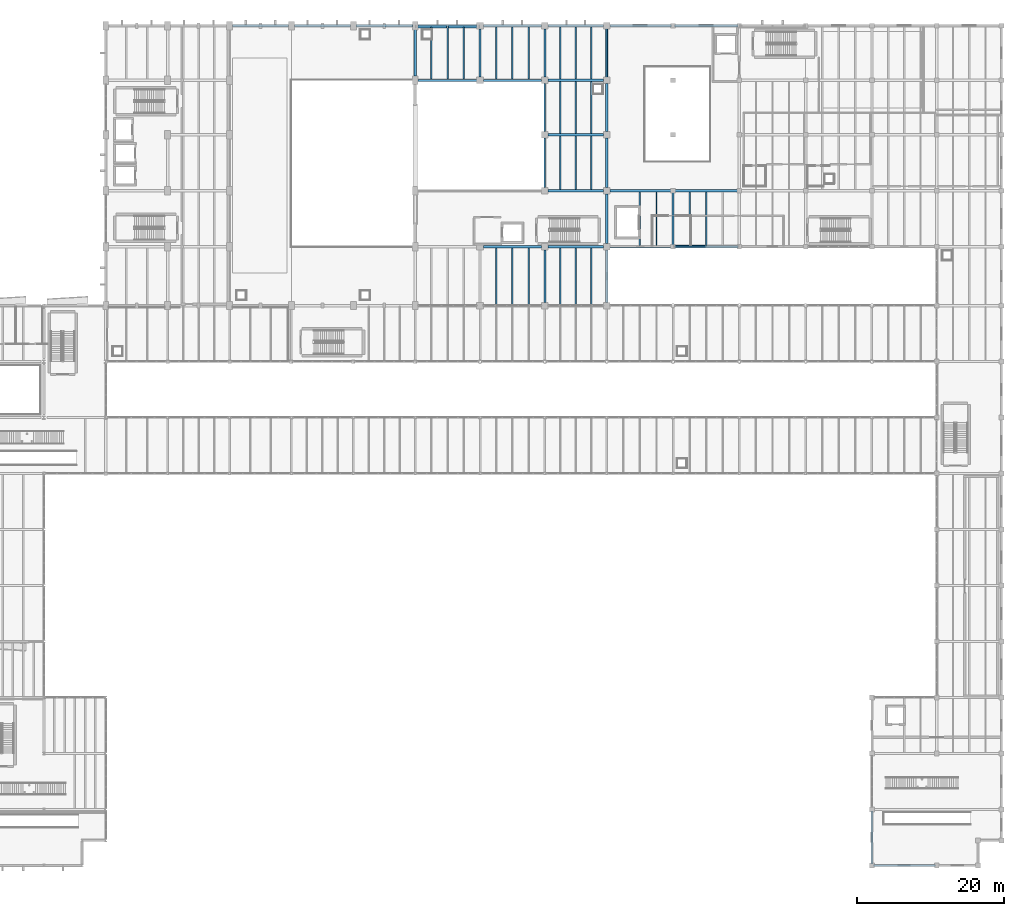
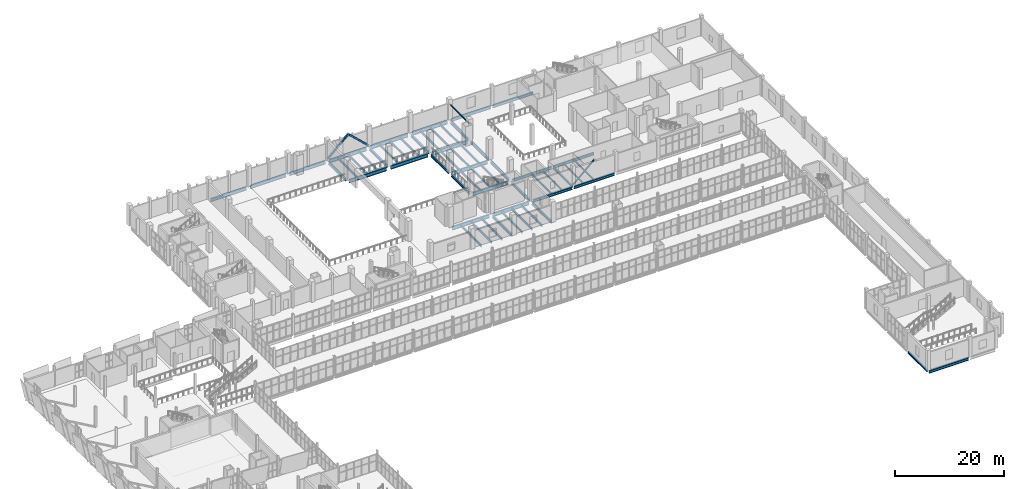
# One storey, part 93 of 172: 59 beams, 3 members.
"""IFC4 building model written with IfcOpenShell, lengths in metres."""

from ifc_helpers import new_model, si_unit, direction, frame, origin, origin_2d, place, context, subcontext, project, spatial, hollow_rectangle, hollow_circle, i_section, extrude, material, material_profile, profile_set, type_object, element, save


model = new_model("IFC4")

# Units and contexts
model_context = context("Model", 3, precision=1e-05, world=origin(), true_north=direction((0.0, 1.0)))
body_context = subcontext(model_context, "Body", "Model", "MODEL_VIEW")
ifc_project = project(units=[si_unit("LENGTHUNIT", "METRE"), si_unit("AREAUNIT", "SQUARE_METRE"), si_unit("VOLUMEUNIT", "CUBIC_METRE"), si_unit("PLANEANGLEUNIT", "RADIAN"), si_unit("MASSUNIT", "GRAM", prefix="KILO")], contexts=[model_context])

# Site, building, storey
site_placement = place(None, origin())
site = spatial("IfcSite", under=ifc_project, at=site_placement, CompositionType="ELEMENT")
building_placement = place(site_placement, origin())
building = spatial("IfcBuilding", under=site, at=building_placement, Name="Shengluoqiao Park Theatre", CompositionType="ELEMENT")
storey_placement = place(building_placement, frame((0.0, 0.0, 5.39990234375)))
storey = spatial("IfcBuildingStorey", under=building, at=storey_placement, Name="L01", CompositionType="ELEMENT", Elevation=5.39990234375)

# Beams
ifc_material_1 = material(Name="Steel Q355", Category="steel")
ifc_material_profile_1 = material_profile(ifc_material_1, i_section(OverallWidth=0.300048828125, OverallDepth=0.389892578125, WebThickness=0.010009765625, FlangeThickness=0.01611328125, FilletRadius=0.01806640625, at=origin_2d()), Name="HM 390x300x10x16")
ifc_profile_set_1 = profile_set([ifc_material_profile_1], Name="Steel Q355")
beam_type_1 = type_object("IfcBeamType", Name="STR-BM-G-HM390", PredefinedType="BEAM", material=ifc_profile_set_1)
for number, where, z_axis, x_axis, name in (
    (1, (121.39990234375, 84.194091796875, -0.434814453125), (0.0, 1.0, 0.0), (-1.0, 0.0, 0.0), "L01 Transverse Girder 00648"),
    (2, (148.39990234375, 0.194091796875, -0.434814453125), (0.0, 1.0, 0.0), (-1.0, 0.0, 0.0), "L01 Transverse Girder 00775"),
):
    element("IfcBeam", number, at=place(storey_placement, frame(where, z_axis=z_axis, x_axis=x_axis)), inside=storey, type_object=beam_type_1, Name=name, PredefinedType="BEAM", context=body_context, shape_type="SweptSolid", body=[
        extrude(i_section(OverallWidth=0.300048828125, OverallDepth=0.389892578125, WebThickness=0.010009765625, FlangeThickness=0.01611328125, FilletRadius=0.01806640625, at=origin_2d()), origin(), (0.0, 0.0, 1.0), 7.2119140625),
    ])
ifc_material_profile_2 = material_profile(ifc_material_1, i_section(OverallWidth=0.300048828125, OverallDepth=0.58203125, WebThickness=0.011962890625, FlangeThickness=0.01708984375, FilletRadius=0.02392578125, at=origin_2d()), Name="HM 582x300x12x17")
ifc_profile_set_2 = profile_set([ifc_material_profile_2], Name="Steel Q355")
beam_type_2 = type_object("IfcBeamType", Name="STR-BM-G-HM582", PredefinedType="BEAM", material=ifc_profile_set_2)
for number, where, z_axis, x_axis, name in (
    (3, (104.0, 76.444091796875, -0.531005859375), (0.0, 1.0, 0.0), (-1.0, 0.0, 0.0), "L01 Transverse Girder 00332"),
    (4, (112.39990234375, 76.444091796875, -0.531005859375), (0.0, 1.0, 0.0), (-1.0, 0.0, 0.0), "L01 Transverse Girder 00333"),
):
    element("IfcBeam", number, at=place(storey_placement, frame(where, z_axis=z_axis, x_axis=x_axis)), inside=storey, type_object=beam_type_2, Name=name, PredefinedType="BEAM", context=body_context, shape_type="SweptSolid", body=[
        extrude(i_section(OverallWidth=0.300048828125, OverallDepth=0.58203125, WebThickness=0.011962890625, FlangeThickness=0.01708984375, FilletRadius=0.02392578125, at=origin_2d()), origin(), (0.0, 0.0, 1.0), 7.11181640625),
    ])
beam_1_placement = place(storey_placement, frame((112.39990234375, 84.444091796875, -0.531005859375), z_axis=(0.0, 1.0, 0.0), x_axis=(-1.0, 0.0, 0.0)))
element("IfcBeam", 5, at=beam_1_placement, inside=storey, type_object=beam_type_2, Name="L01 Transverse Girder 00334", PredefinedType="BEAM", context=body_context, shape_type="SweptSolid", body=[
    extrude(i_section(OverallWidth=0.300048828125, OverallDepth=0.58203125, WebThickness=0.011962890625, FlangeThickness=0.01708984375, FilletRadius=0.02392578125, at=origin_2d()), origin(), (0.0, 0.0, 1.0), 6.7119140625),
])
for number, where, z_axis, x_axis, name in (
    (6, (95.199951171875, 107.0439453125, -0.531005859375), (0.0, 1.0, 0.0), (-1.0, 0.0, 0.0), "L01 Transverse Girder 00350"),
    (7, (104.0, 107.0439453125, -0.531005859375), (0.0, 1.0, 0.0), (-1.0, 0.0, 0.0), "L01 Transverse Girder 00351"),
    (8, (112.39990234375, 107.0439453125, -0.531005859375), (0.0, 1.0, 0.0), (-1.0, 0.0, 0.0), "L01 Transverse Girder 00352"),
):
    element("IfcBeam", number, at=place(storey_placement, frame(where, z_axis=z_axis, x_axis=x_axis)), inside=storey, type_object=beam_type_2, Name=name, PredefinedType="BEAM", context=body_context, shape_type="SweptSolid", body=[
        extrude(i_section(OverallWidth=0.300048828125, OverallDepth=0.58203125, WebThickness=0.011962890625, FlangeThickness=0.01708984375, FilletRadius=0.02392578125, at=origin_2d()), origin(), (0.0, 0.0, 1.0), 6.511962890625),
    ])
beam_2_placement = place(storey_placement, frame((104.0, 92.0439453125, -0.531005859375), z_axis=(0.0, 1.0, 0.0), x_axis=(-1.0, 0.0, 0.0)))
element("IfcBeam", 9, at=beam_2_placement, inside=storey, type_object=beam_type_2, Name="L01 Transverse Girder 00363", PredefinedType="BEAM", context=body_context, shape_type="SweptSolid", body=[
    extrude(i_section(OverallWidth=0.300048828125, OverallDepth=0.58203125, WebThickness=0.011962890625, FlangeThickness=0.01708984375, FilletRadius=0.02392578125, at=origin_2d()), origin(), (0.0, 0.0, 1.0), 6.712158203125),
])
beam_3_placement = place(storey_placement, frame((104.0, 99.64404296875, -0.531005859375), z_axis=(0.0, 1.0, 0.0), x_axis=(-1.0, 0.0, 0.0)))
element("IfcBeam", 10, at=beam_3_placement, inside=storey, type_object=beam_type_2, Name="L01 Transverse Girder 00364", PredefinedType="BEAM", context=body_context, shape_type="SweptSolid", body=[
    extrude(i_section(OverallWidth=0.300048828125, OverallDepth=0.58203125, WebThickness=0.011962890625, FlangeThickness=0.01708984375, FilletRadius=0.02392578125, at=origin_2d()), origin(), (0.0, 0.0, 1.0), 6.511962890625),
])
beam_4_placement = place(storey_placement, frame((112.39990234375, 92.0439453125, -0.531005859375), z_axis=(0.0, 1.0, 0.0), x_axis=(-1.0, 0.0, 0.0)))
element("IfcBeam", 11, at=beam_4_placement, inside=storey, type_object=beam_type_2, Name="L01 Transverse Girder 00365", PredefinedType="BEAM", context=body_context, shape_type="SweptSolid", body=[
    extrude(i_section(OverallWidth=0.300048828125, OverallDepth=0.58203125, WebThickness=0.011962890625, FlangeThickness=0.01708984375, FilletRadius=0.02392578125, at=origin_2d()), origin(), (0.0, 0.0, 1.0), 6.712158203125),
])
beam_5_placement = place(storey_placement, frame((112.39990234375, 99.64404296875, -0.531005859375), z_axis=(0.0, 1.0, 0.0), x_axis=(-1.0, 0.0, 0.0)))
element("IfcBeam", 12, at=beam_5_placement, inside=storey, type_object=beam_type_2, Name="L01 Transverse Girder 00366", PredefinedType="BEAM", context=body_context, shape_type="SweptSolid", body=[
    extrude(i_section(OverallWidth=0.300048828125, OverallDepth=0.58203125, WebThickness=0.011962890625, FlangeThickness=0.01708984375, FilletRadius=0.02392578125, at=origin_2d()), origin(), (0.0, 0.0, 1.0), 6.511962890625),
])
ifc_material_profile_3 = material_profile(ifc_material_1, i_section(OverallWidth=0.300048828125, OverallDepth=0.587890625, WebThickness=0.011962890625, FlangeThickness=0.02001953125, FilletRadius=0.02392578125, at=origin_2d()), Name="HM 588x300x12x20")
ifc_profile_set_3 = profile_set([ifc_material_profile_3], Name="Steel Q355")
beam_type_3 = type_object("IfcBeamType", Name="STR-BM-G-HM588", PredefinedType="BEAM", material=ifc_profile_set_3)
beam_6_placement = place(storey_placement, frame((86.39990234375, 107.14404296875, -0.5439453125), z_axis=(0.0, 1.0, 0.0), x_axis=(-1.0, 0.0, 0.0)))
element("IfcBeam", 13, at=beam_6_placement, inside=storey, type_object=beam_type_3, Name="L01 Transverse Girder 00321", PredefinedType="BEAM", context=body_context, shape_type="SweptSolid", body=[
    extrude(i_section(OverallWidth=0.300048828125, OverallDepth=0.587890625, WebThickness=0.011962890625, FlangeThickness=0.02001953125, FilletRadius=0.02392578125, at=origin_2d()), origin(), (0.0, 0.0, 1.0), 6.31201171875),
])
beam_7_placement = place(storey_placement, frame((112.843994140625, 84.0, -0.533935546875), z_axis=(1.0, 0.0, 0.0), x_axis=(0.0, 1.0, 0.0)))
element("IfcBeam", 14, at=beam_7_placement, inside=storey, type_object=beam_type_3, Name="L01 Primary Girder 00637", PredefinedType="BEAM", context=body_context, shape_type="SweptSolid", body=[
    extrude(i_section(OverallWidth=0.300048828125, OverallDepth=0.587890625, WebThickness=0.011962890625, FlangeThickness=0.02001953125, FilletRadius=0.02392578125, at=origin_2d()), origin(), (0.0, 0.0, 1.0), 8.35791015625),
])
beam_8_placement = place(storey_placement, frame((121.597900390625, 84.0, -0.533935546875), z_axis=(1.0, 0.0, 0.0), x_axis=(0.0, 1.0, 0.0)))
element("IfcBeam", 15, at=beam_8_placement, inside=storey, type_object=beam_type_3, Name="L01 Primary Girder 00638", PredefinedType="BEAM", context=body_context, shape_type="SweptSolid", body=[
    extrude(i_section(OverallWidth=0.300048828125, OverallDepth=0.587890625, WebThickness=0.011962890625, FlangeThickness=0.02001953125, FilletRadius=0.02392578125, at=origin_2d()), origin(), (0.0, 0.0, 1.0), 8.60400390625),
])
beam_9_placement = place(storey_placement, frame((112.843994140625, 91.60009765625, -0.533935546875), z_axis=(1.0, 0.0, 0.0), x_axis=(0.0, 1.0, 0.0)))
element("IfcBeam", 16, at=beam_9_placement, inside=storey, type_object=beam_type_3, Name="L01 Primary Girder 00640", PredefinedType="BEAM", context=body_context, shape_type="SweptSolid", body=[
    extrude(i_section(OverallWidth=0.300048828125, OverallDepth=0.587890625, WebThickness=0.011962890625, FlangeThickness=0.02001953125, FilletRadius=0.02392578125, at=origin_2d()), origin(), (0.0, 0.0, 1.0), 8.35791015625),
])
beam_10_placement = place(storey_placement, frame((121.597900390625, 91.60009765625, -0.533935546875), z_axis=(1.0, 0.0, 0.0), x_axis=(0.0, 1.0, 0.0)))
element("IfcBeam", 17, at=beam_10_placement, inside=storey, type_object=beam_type_3, Name="L01 Primary Girder 00641", PredefinedType="BEAM", context=body_context, shape_type="SweptSolid", body=[
    extrude(i_section(OverallWidth=0.300048828125, OverallDepth=0.587890625, WebThickness=0.011962890625, FlangeThickness=0.02001953125, FilletRadius=0.02392578125, at=origin_2d()), origin(), (0.0, 0.0, 1.0), 8.60400390625),
])
beam_11_placement = place(storey_placement, frame((112.843994140625, 114.0, -0.533935546875), z_axis=(1.0, 0.0, 0.0), x_axis=(0.0, 1.0, 0.0)))
element("IfcBeam", 18, at=beam_11_placement, inside=storey, type_object=beam_type_3, Name="L01 Primary Girder 00645", PredefinedType="BEAM", context=body_context, shape_type="SweptSolid", body=[
    extrude(i_section(OverallWidth=0.300048828125, OverallDepth=0.587890625, WebThickness=0.011962890625, FlangeThickness=0.02001953125, FilletRadius=0.02392578125, at=origin_2d()), origin(), (0.0, 0.0, 1.0), 8.35791015625),
])
beam_12_placement = place(storey_placement, frame((121.597900390625, 114.0, -0.533935546875), z_axis=(1.0, 0.0, 0.0), x_axis=(0.0, 1.0, 0.0)))
element("IfcBeam", 19, at=beam_12_placement, inside=storey, type_object=beam_type_3, Name="L01 Primary Girder 00646", PredefinedType="BEAM", context=body_context, shape_type="SweptSolid", body=[
    extrude(i_section(OverallWidth=0.300048828125, OverallDepth=0.587890625, WebThickness=0.011962890625, FlangeThickness=0.02001953125, FilletRadius=0.02392578125, at=origin_2d()), origin(), (0.0, 0.0, 1.0), 8.60400390625),
])
beam_13_placement = place(storey_placement, frame((148.597900390625, 0.0, -0.533935546875), z_axis=(1.0, 0.0, 0.0), x_axis=(0.0, 1.0, 0.0)))
element("IfcBeam", 20, at=beam_13_placement, inside=storey, type_object=beam_type_3, Name="L01 Primary Girder 00769", PredefinedType="BEAM", context=body_context, shape_type="SweptSolid", body=[
    extrude(i_section(OverallWidth=0.300048828125, OverallDepth=0.587890625, WebThickness=0.011962890625, FlangeThickness=0.02001953125, FilletRadius=0.02392578125, at=origin_2d()), origin(), (0.0, 0.0, 1.0), 8.404052734375),
])
ifc_material_2 = material(Name="Steel Q390", Category="steel")
ifc_material_profile_4 = material_profile(ifc_material_2, i_section(OverallWidth=0.300048828125, OverallDepth=0.699951171875, WebThickness=0.012939453125, FlangeThickness=0.02392578125, FilletRadius=0.02392578125, at=origin_2d()), Name="HN 700x300x13x24")
ifc_profile_set_4 = profile_set([ifc_material_profile_4], Name="Steel Q390")
beam_type_4 = type_object("IfcBeamType", Name="STR-BM-G-HN700", PredefinedType="BEAM", material=ifc_profile_set_4)
for number, where, z_axis, x_axis, name in (
    (21, (61.593994140625, 114.0, -0.599853515625), (1.0, 0.0, 0.0), (0.0, 1.0, 0.0), "L01 Primary Girder 00315"),
    (22, (69.993896484375, 114.0, -0.599853515625), (1.0, 0.0, 0.0), (0.0, 1.0, 0.0), "L01 Primary Girder 00319"),
    (23, (78.39404296875, 114.0, -0.599853515625), (1.0, 0.0, 0.0), (0.0, 1.0, 0.0), "L01 Primary Girder 00320"),
):
    element("IfcBeam", number, at=place(storey_placement, frame(where, z_axis=z_axis, x_axis=x_axis)), inside=storey, type_object=beam_type_4, Name=name, PredefinedType="BEAM", context=body_context, shape_type="SweptSolid", body=[
        extrude(i_section(OverallWidth=0.300048828125, OverallDepth=0.699951171875, WebThickness=0.012939453125, FlangeThickness=0.02392578125, FilletRadius=0.02392578125, at=origin_2d()), origin(), (0.0, 0.0, 1.0), 7.612060546875),
    ])
ifc_material_profile_5 = material_profile(ifc_material_2, i_section(OverallWidth=0.300048828125, OverallDepth=0.800048828125, WebThickness=0.013916015625, FlangeThickness=0.02587890625, FilletRadius=0.02587890625, at=origin_2d()), Name="HN 800x300x14x26")
ifc_profile_set_5 = profile_set([ifc_material_profile_5], Name="Steel Q390")
beam_type_5 = type_object("IfcBeamType", Name="STR-BM-G-HN800", PredefinedType="BEAM", material=ifc_profile_set_5)
beam_14_placement = place(storey_placement, frame((95.64404296875, 84.0, -0.639892578125), z_axis=(1.0, 0.0, 0.0), x_axis=(0.0, 1.0, 0.0)))
element("IfcBeam", 24, at=beam_14_placement, inside=storey, type_object=beam_type_5, Name="L01 Primary Girder 00326", PredefinedType="BEAM", context=body_context, shape_type="SweptSolid", body=[
    extrude(i_section(OverallWidth=0.300048828125, OverallDepth=0.800048828125, WebThickness=0.013916015625, FlangeThickness=0.02587890625, FilletRadius=0.02587890625, at=origin_2d()), origin(), (0.0, 0.0, 1.0), 7.911865234375),
])
for number, where, z_axis, x_axis, name in (
    (25, (104.444091796875, 84.0, -0.639892578125), (1.0, 0.0, 0.0), (0.0, 1.0, 0.0), "L01 Primary Girder 00327"),
    (26, (104.444091796875, 91.60009765625, -0.639892578125), (1.0, 0.0, 0.0), (0.0, 1.0, 0.0), "L01 Primary Girder 00329"),
):
    element("IfcBeam", number, at=place(storey_placement, frame(where, z_axis=z_axis, x_axis=x_axis)), inside=storey, type_object=beam_type_5, Name=name, PredefinedType="BEAM", context=body_context, shape_type="SweptSolid", body=[
        extrude(i_section(OverallWidth=0.300048828125, OverallDepth=0.800048828125, WebThickness=0.013916015625, FlangeThickness=0.02587890625, FilletRadius=0.02587890625, at=origin_2d()), origin(), (0.0, 0.0, 1.0), 7.511962890625),
    ])
beam_15_placement = place(storey_placement, frame((86.7939453125, 106.60009765625, -0.64990234375), z_axis=(1.0, 0.0, 0.0), x_axis=(0.0, 1.0, 0.0)))
element("IfcBeam", 27, at=beam_15_placement, inside=storey, type_object=beam_type_5, Name="L01 Primary Girder 00344", PredefinedType="BEAM", context=body_context, shape_type="SweptSolid", body=[
    extrude(i_section(OverallWidth=0.300048828125, OverallDepth=0.800048828125, WebThickness=0.013916015625, FlangeThickness=0.02587890625, FilletRadius=0.02587890625, at=origin_2d()), origin(), (0.0, 0.0, 1.0), 7.962158203125),
])
beam_16_placement = place(storey_placement, frame((95.64404296875, 106.60009765625, -0.639892578125), z_axis=(1.0, 0.0, 0.0), x_axis=(0.0, 1.0, 0.0)))
element("IfcBeam", 28, at=beam_16_placement, inside=storey, type_object=beam_type_5, Name="L01 Primary Girder 00345", PredefinedType="BEAM", context=body_context, shape_type="SweptSolid", body=[
    extrude(i_section(OverallWidth=0.300048828125, OverallDepth=0.800048828125, WebThickness=0.013916015625, FlangeThickness=0.02587890625, FilletRadius=0.02587890625, at=origin_2d()), origin(), (0.0, 0.0, 1.0), 7.911865234375),
])
beam_17_placement = place(storey_placement, frame((104.444091796875, 106.60009765625, -0.639892578125), z_axis=(1.0, 0.0, 0.0), x_axis=(0.0, 1.0, 0.0)))
element("IfcBeam", 29, at=beam_17_placement, inside=storey, type_object=beam_type_5, Name="L01 Primary Girder 00346", PredefinedType="BEAM", context=body_context, shape_type="SweptSolid", body=[
    extrude(i_section(OverallWidth=0.300048828125, OverallDepth=0.800048828125, WebThickness=0.013916015625, FlangeThickness=0.02587890625, FilletRadius=0.02587890625, at=origin_2d()), origin(), (0.0, 0.0, 1.0), 7.511962890625),
])
beam_18_placement = place(storey_placement, frame((86.7939453125, 114.0, -0.64990234375), z_axis=(1.0, 0.0, 0.0), x_axis=(0.0, 1.0, 0.0)))
element("IfcBeam", 30, at=beam_18_placement, inside=storey, type_object=beam_type_5, Name="L01 Primary Girder 00347", PredefinedType="BEAM", context=body_context, shape_type="SweptSolid", body=[
    extrude(i_section(OverallWidth=0.300048828125, OverallDepth=0.800048828125, WebThickness=0.013916015625, FlangeThickness=0.02587890625, FilletRadius=0.02587890625, at=origin_2d()), origin(), (0.0, 0.0, 1.0), 7.962158203125),
])
beam_19_placement = place(storey_placement, frame((95.64404296875, 114.0, -0.639892578125), z_axis=(1.0, 0.0, 0.0), x_axis=(0.0, 1.0, 0.0)))
element("IfcBeam", 31, at=beam_19_placement, inside=storey, type_object=beam_type_5, Name="L01 Primary Girder 00348", PredefinedType="BEAM", context=body_context, shape_type="SweptSolid", body=[
    extrude(i_section(OverallWidth=0.300048828125, OverallDepth=0.800048828125, WebThickness=0.013916015625, FlangeThickness=0.02587890625, FilletRadius=0.02587890625, at=origin_2d()), origin(), (0.0, 0.0, 1.0), 7.911865234375),
])
for number, where, z_axis, x_axis, name in (
    (32, (104.444091796875, 114.0, -0.639892578125), (1.0, 0.0, 0.0), (0.0, 1.0, 0.0), "L01 Primary Girder 00349"),
    (33, (104.444091796875, 99.199951171875, -0.639892578125), (1.0, 0.0, 0.0), (0.0, 1.0, 0.0), "L01 Primary Girder 00362"),
):
    element("IfcBeam", number, at=place(storey_placement, frame(where, z_axis=z_axis, x_axis=x_axis)), inside=storey, type_object=beam_type_5, Name=name, PredefinedType="BEAM", context=body_context, shape_type="SweptSolid", body=[
        extrude(i_section(OverallWidth=0.300048828125, OverallDepth=0.800048828125, WebThickness=0.013916015625, FlangeThickness=0.02587890625, FilletRadius=0.02587890625, at=origin_2d()), origin(), (0.0, 0.0, 1.0), 7.511962890625),
    ])
ifc_material_profile_6 = material_profile(ifc_material_1, i_section(OverallWidth=0.175048828125, OverallDepth=0.35009765625, WebThickness=0.007080078125, FlangeThickness=0.010986328125, FilletRadius=0.013916015625, at=origin_2d()), Name="HN 350x175x7x11")
ifc_profile_set_6 = profile_set([ifc_material_profile_6], Name="Steel Q355")
beam_type_6 = type_object("IfcBeamType", Name="STR-BM-J-HN350", PredefinedType="JOIST", material=ifc_profile_set_6)
for number, where, z_axis, x_axis, name in (
    (34, (116.89990234375, 84.14501953125, -0.414794921875), (0.0, 1.0, 0.0), (-1.0, 0.0, 0.0), "L01 Composite Joist 00656"),
    (35, (119.14990234375, 84.14501953125, -0.414794921875), (0.0, 1.0, 0.0), (-1.0, 0.0, 0.0), "L01 Composite Joist 00657"),
    (36, (123.64990234375, 84.14501953125, -0.414794921875), (0.0, 1.0, 0.0), (-1.0, 0.0, 0.0), "L01 Composite Joist 00658"),
    (37, (125.89990234375, 84.14501953125, -0.414794921875), (0.0, 1.0, 0.0), (-1.0, 0.0, 0.0), "L01 Composite Joist 00659"),
):
    element("IfcBeam", number, at=place(storey_placement, frame(where, z_axis=z_axis, x_axis=x_axis)), inside=storey, type_object=beam_type_6, Name=name, PredefinedType="JOIST", context=body_context, shape_type="SweptSolid", body=[
        extrude(i_section(OverallWidth=0.175048828125, OverallDepth=0.35009765625, WebThickness=0.007080078125, FlangeThickness=0.010986328125, FilletRadius=0.013916015625, at=origin_2d()), origin(), (0.0, 0.0, 1.0), 7.31005859375),
    ])
ifc_material_profile_7 = material_profile(ifc_material_1, i_section(OverallWidth=0.199951171875, OverallDepth=0.5, WebThickness=0.010009765625, FlangeThickness=0.01611328125, FilletRadius=0.01806640625, at=origin_2d()), Name="HN 500x200x10x16")
ifc_profile_set_7 = profile_set([ifc_material_profile_7], Name="Steel Q355")
beam_type_7 = type_object("IfcBeamType", Name="STR-BM-J-HN500", PredefinedType="JOIST", material=ifc_profile_set_7)
for number, where, z_axis, x_axis, name in (
    (38, (97.39990234375, 76.14501953125, -0.489990234375), (0.0, 1.0, 0.0), (-1.0, 0.0, 0.0), "L01 Composite Joist 00338"),
    (39, (99.60009765625, 76.14501953125, -0.489990234375), (0.0, 1.0, 0.0), (-1.0, 0.0, 0.0), "L01 Composite Joist 00339"),
    (40, (101.800048828125, 76.14501953125, -0.489990234375), (0.0, 1.0, 0.0), (-1.0, 0.0, 0.0), "L01 Composite Joist 00340"),
    (41, (106.10009765625, 76.14501953125, -0.489990234375), (0.0, 1.0, 0.0), (-1.0, 0.0, 0.0), "L01 Composite Joist 00341"),
    (42, (108.199951171875, 76.14501953125, -0.489990234375), (0.0, 1.0, 0.0), (-1.0, 0.0, 0.0), "L01 Composite Joist 00342"),
    (43, (110.300048828125, 76.14501953125, -0.489990234375), (0.0, 1.0, 0.0), (-1.0, 0.0, 0.0), "L01 Composite Joist 00343"),
):
    element("IfcBeam", number, at=place(storey_placement, frame(where, z_axis=z_axis, x_axis=x_axis)), inside=storey, type_object=beam_type_7, Name=name, PredefinedType="JOIST", context=body_context, shape_type="SweptSolid", body=[
        extrude(i_section(OverallWidth=0.199951171875, OverallDepth=0.5, WebThickness=0.010009765625, FlangeThickness=0.01611328125, FilletRadius=0.01806640625, at=origin_2d()), origin(), (0.0, 0.0, 1.0), 7.7099609375),
    ])
for number, where, z_axis, x_axis, name in (
    (44, (88.60009765625, 106.7451171875, -0.489990234375), (0.0, 1.0, 0.0), (-1.0, 0.0, 0.0), "L01 Composite Joist 00353"),
    (45, (90.800048828125, 106.7451171875, -0.489990234375), (0.0, 1.0, 0.0), (-1.0, 0.0, 0.0), "L01 Composite Joist 00354"),
    (46, (93.0, 106.7451171875, -0.489990234375), (0.0, 1.0, 0.0), (-1.0, 0.0, 0.0), "L01 Composite Joist 00355"),
    (47, (97.39990234375, 106.7451171875, -0.489990234375), (0.0, 1.0, 0.0), (-1.0, 0.0, 0.0), "L01 Composite Joist 00356"),
    (48, (99.60009765625, 106.7451171875, -0.489990234375), (0.0, 1.0, 0.0), (-1.0, 0.0, 0.0), "L01 Composite Joist 00357"),
    (49, (101.800048828125, 106.7451171875, -0.489990234375), (0.0, 1.0, 0.0), (-1.0, 0.0, 0.0), "L01 Composite Joist 00358"),
    (50, (106.10009765625, 106.7451171875, -0.489990234375), (0.0, 1.0, 0.0), (-1.0, 0.0, 0.0), "L01 Composite Joist 00359"),
    (51, (108.199951171875, 106.7451171875, -0.489990234375), (0.0, 1.0, 0.0), (-1.0, 0.0, 0.0), "L01 Composite Joist 00360"),
    (52, (110.300048828125, 106.7451171875, -0.489990234375), (0.0, 1.0, 0.0), (-1.0, 0.0, 0.0), "L01 Composite Joist 00361"),
):
    element("IfcBeam", number, at=place(storey_placement, frame(where, z_axis=z_axis, x_axis=x_axis)), inside=storey, type_object=beam_type_7, Name=name, PredefinedType="JOIST", context=body_context, shape_type="SweptSolid", body=[
        extrude(i_section(OverallWidth=0.199951171875, OverallDepth=0.5, WebThickness=0.010009765625, FlangeThickness=0.01611328125, FilletRadius=0.01806640625, at=origin_2d()), origin(), (0.0, 0.0, 1.0), 7.10986328125),
    ])
for number, where, z_axis, x_axis, name in (
    (53, (106.10009765625, 91.7451171875, -0.489990234375), (0.0, 1.0, 0.0), (-1.0, 0.0, 0.0), "L01 Composite Joist 00367"),
    (54, (108.199951171875, 91.7451171875, -0.489990234375), (0.0, 1.0, 0.0), (-1.0, 0.0, 0.0), "L01 Composite Joist 00368"),
    (55, (110.300048828125, 91.7451171875, -0.489990234375), (0.0, 1.0, 0.0), (-1.0, 0.0, 0.0), "L01 Composite Joist 00369"),
):
    element("IfcBeam", number, at=place(storey_placement, frame(where, z_axis=z_axis, x_axis=x_axis)), inside=storey, type_object=beam_type_7, Name=name, PredefinedType="JOIST", context=body_context, shape_type="SweptSolid", body=[
        extrude(i_section(OverallWidth=0.199951171875, OverallDepth=0.5, WebThickness=0.010009765625, FlangeThickness=0.01611328125, FilletRadius=0.01806640625, at=origin_2d()), origin(), (0.0, 0.0, 1.0), 7.309814453125),
    ])
for number, where, z_axis, x_axis, name in (
    (56, (106.10009765625, 99.344970703125, -0.489990234375), (0.0, 1.0, 0.0), (-1.0, 0.0, 0.0), "L01 Composite Joist 00370"),
    (57, (108.199951171875, 99.344970703125, -0.489990234375), (0.0, 1.0, 0.0), (-1.0, 0.0, 0.0), "L01 Composite Joist 00371"),
    (58, (110.300048828125, 99.344970703125, -0.489990234375), (0.0, 1.0, 0.0), (-1.0, 0.0, 0.0), "L01 Composite Joist 00372"),
):
    element("IfcBeam", number, at=place(storey_placement, frame(where, z_axis=z_axis, x_axis=x_axis)), inside=storey, type_object=beam_type_7, Name=name, PredefinedType="JOIST", context=body_context, shape_type="SweptSolid", body=[
        extrude(i_section(OverallWidth=0.199951171875, OverallDepth=0.5, WebThickness=0.010009765625, FlangeThickness=0.01611328125, FilletRadius=0.01806640625, at=origin_2d()), origin(), (0.0, 0.0, 1.0), 7.110107421875),
    ])
ifc_material_profile_8 = material_profile(ifc_material_1, i_section(OverallWidth=0.14990234375, OverallDepth=0.194091796875, WebThickness=0.006103515625, FlangeThickness=0.009033203125, FilletRadius=0.012939453125, at=origin_2d()), Name="HM 194x150x6x9")
ifc_profile_set_8 = profile_set([ifc_material_profile_8], Name="Steel Q355")
beam_type_8 = type_object("IfcBeamType", Name="STR-BM-LN-HM194", PredefinedType="LINTEL", material=ifc_profile_set_8)
beam_20_placement = place(storey_placement, frame((112.39990234375, 106.60009765625, 3.300048828125), z_axis=(0.0, 1.0, 0.0), x_axis=(-1.0, 0.0, 0.0)))
element("IfcBeam", 59, at=beam_20_placement, inside=storey, type_object=beam_type_8, Name="L01 Structural Door Lintel 05", PredefinedType="LINTEL", context=body_context, shape_type="SweptSolid", body=[
    extrude(i_section(OverallWidth=0.14990234375, OverallDepth=0.194091796875, WebThickness=0.006103515625, FlangeThickness=0.009033203125, FilletRadius=0.012939453125, at=origin_2d()), origin(), (0.0, 0.0, 1.0), 7.39990234375),
])

# Members
ifc_material_profile_9 = material_profile(ifc_material_1, hollow_circle(Radius=0.16259765625, WallThickness=0.013916015625, at=origin_2d()), Name="CHS 325x14")
ifc_profile_set_9 = profile_set([ifc_material_profile_9], Name="Steel Q355")
member_type_1 = type_object("IfcMemberType", Name="STR-MEM-BRC-325", PredefinedType="BRACE", material=ifc_profile_set_9)
member_placement = place(storey_placement, frame((121.489990234375, 84.080078125, 0.1025390625), z_axis=(0.735835523568, 0.0, 0.677160307649), x_axis=(0.0, 1.0, 0.0)))
element("IfcMember", 60, at=member_placement, inside=storey, type_object=member_type_1, Name="L01 Chevron Brace 0027", PredefinedType="BRACE", context=body_context, shape_type="SweptSolid", body=[
    extrude(hollow_circle(Radius=0.16259765625, WallThickness=0.013916015625, at=origin_2d()), origin(), (0.0, 0.0, 1.0), 5.962646484375),
])
ifc_material_profile_10 = material_profile(ifc_material_2, hollow_rectangle(XDim=0.35009765625, YDim=0.35009765625, WallThickness=0.01611328125, InnerFilletRadius=0.01611328125, OuterFilletRadius=0.031982421875, at=origin_2d()), Name="RHS 350x350x16")
ifc_profile_set_10 = profile_set([ifc_material_profile_10], Name="Steel Q390")
member_type_2 = type_object("IfcMemberType", Name="STR-MEM-BRR-350", PredefinedType="BRACE", material=ifc_profile_set_10)
for number, where, z_axis, x_axis, name in (
    (61, (86.488037109375, 113.8798828125, 0.102294921875), (0.729035006034, 0.0, 0.684476413018), (0.0, 1.0, 0.0), "L01 Chevron Brace 0003"),
    (62, (95.112060546875, 113.8798828125, 0.102294921875), (-0.729035006034, 0.0, 0.684476413018), (0.0, -1.0, 0.0), "L01 Chevron Brace 0004"),
):
    element("IfcMember", number, at=place(storey_placement, frame(where, z_axis=z_axis, x_axis=x_axis)), inside=storey, type_object=member_type_2, Name=name, PredefinedType="BRACE", context=body_context, shape_type="SweptSolid", body=[
        extrude(hollow_rectangle(XDim=0.35009765625, YDim=0.35009765625, WallThickness=0.01611328125, InnerFilletRadius=0.01611328125, OuterFilletRadius=0.031982421875, at=origin_2d()), origin(), (0.0, 0.0, 1.0), 5.884521484375),
    ])

save(model, "model.ifc")
